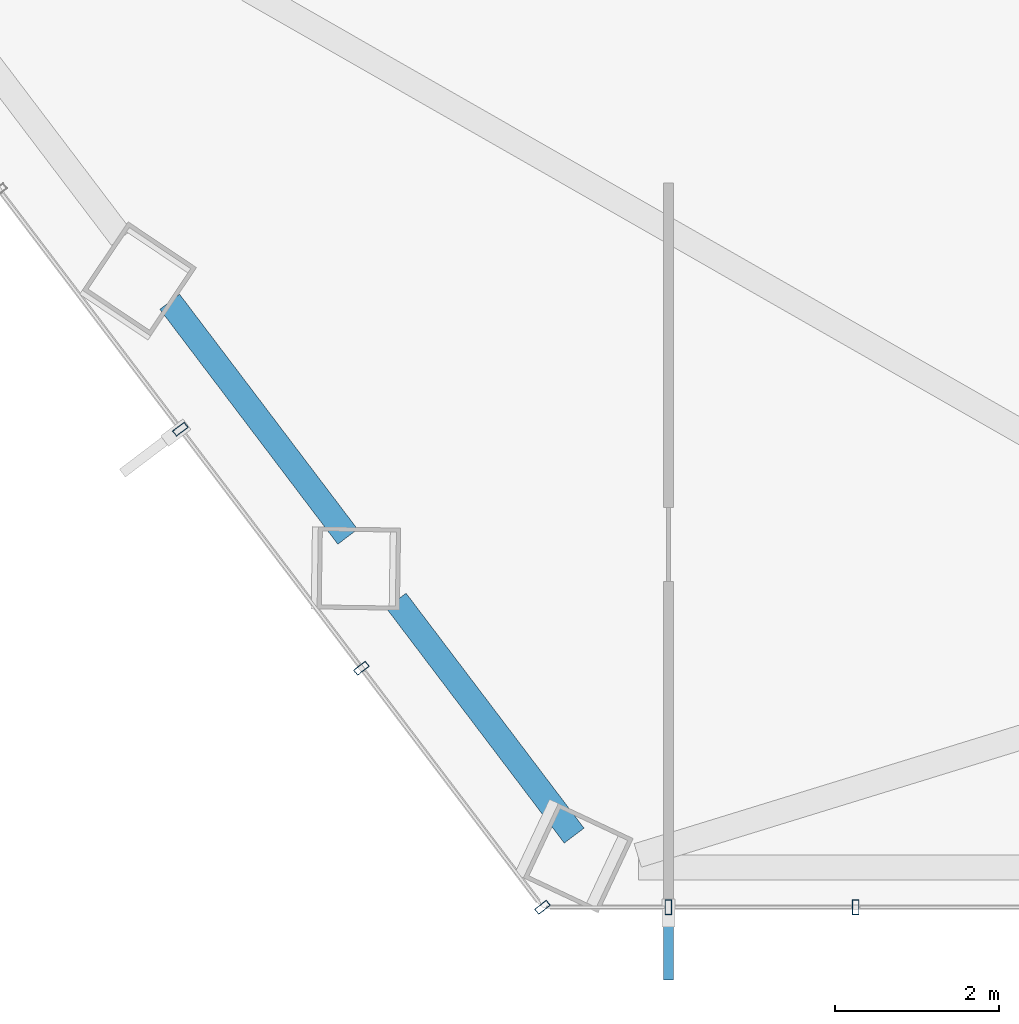
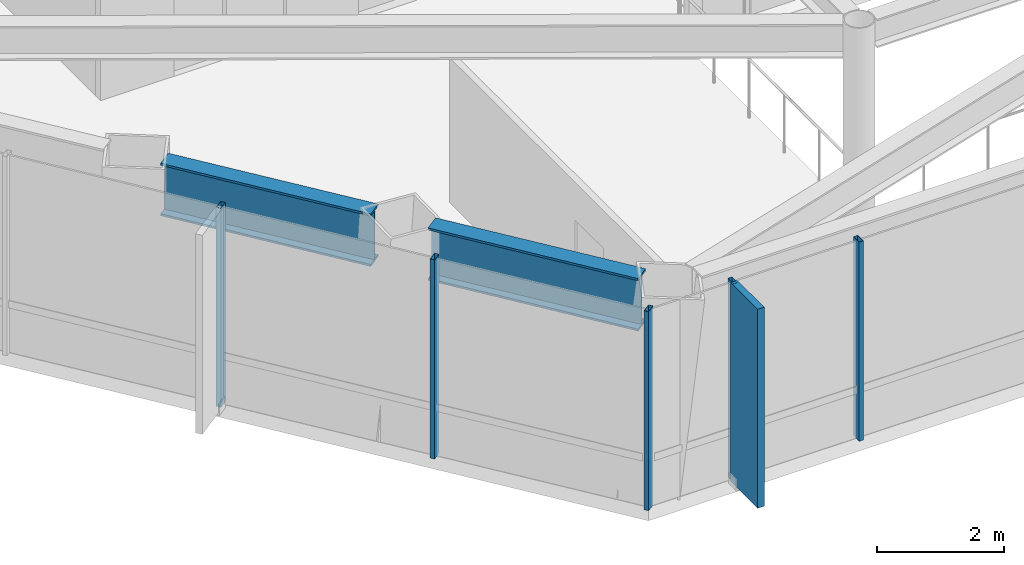
# One storey, part 2 of 26: 6 members, 2 beams, 2 elements without a shape of their own.
"""IFC4 building model written with IfcOpenShell, lengths in metres."""

from ifc_helpers import new_model, si_unit, direction, frame, origin, origin_2d, place, context, subcontext, project, spatial, rectangle, hollow_rectangle, i_section, extrude, material, layer, layer_set, material_profile, profile_set, type_object, element, aggregate, save


model = new_model("IFC4")

# Units and contexts
model_context = context("Model", 3, precision=1e-05, world=origin(), true_north=direction((0.0, 1.0)))
body_context = subcontext(model_context, "Body", "Model", "MODEL_VIEW")
ifc_project = project(units=[si_unit("LENGTHUNIT", "METRE"), si_unit("AREAUNIT", "SQUARE_METRE"), si_unit("VOLUMEUNIT", "CUBIC_METRE"), si_unit("PLANEANGLEUNIT", "RADIAN"), si_unit("MASSUNIT", "GRAM", prefix="KILO")], contexts=[model_context])

# Site, building, storey
site_placement = place(None, origin())
site = spatial("IfcSite", under=ifc_project, at=site_placement, CompositionType="ELEMENT")
building_placement = place(site_placement, origin())
building = spatial("IfcBuilding", under=site, at=building_placement, Name="Zarrinselat Tower", CompositionType="ELEMENT")
storey_placement = place(building_placement, frame((0.0, 0.0, 35.699951171875)))
storey = spatial("IfcBuildingStorey", under=building, at=storey_placement, Name="L08", CompositionType="ELEMENT", Elevation=35.699951171875)

# Beams
ifc_material_1 = material(Name="Steel S460M", Category="steel")
ifc_material_profile_1 = material_profile(ifc_material_1, i_section(OverallWidth=0.302001953125, OverallDepth=1.008056640625, WebThickness=0.02099609375, FlangeThickness=0.0400390625, at=origin_2d()), Name="HEM 1000")
ifc_profile_set_1 = profile_set([ifc_material_profile_1], Name="Steel S460M")
beam_type = type_object("IfcBeamType", Name="BM-HEM1000", PredefinedType="BEAM", material=ifc_profile_set_1)
for number, where, z_axis, x_axis, name in (
    (1, (22.4326171875, 26.557861328125, 3.316162109375), (0.603848514001, -0.797099098067, 0.0), (0.797099098067, 0.603848514001, 0.0), "L08 Perimeter Spandrel Girder SP08"),
    (2, (25.187744140625, 22.9208984375, 3.316162109375), (0.603891760732, -0.797066334329, 0.0), (0.797066334329, 0.603891760732, 0.0), "L08 Perimeter Spandrel Girder SP09"),
):
    element("IfcBeam", number, at=place(storey_placement, frame(where, z_axis=z_axis, x_axis=x_axis)), inside=storey, type_object=beam_type, Name=name, PredefinedType="BEAM", context=body_context, shape_type="SweptSolid", body=[
        extrude(i_section(OverallWidth=0.302001953125, OverallDepth=1.008056640625, WebThickness=0.02099609375, FlangeThickness=0.0400390625, at=origin_2d()), origin(), (0.0, 0.0, 1.0), 3.586669921875),
    ])

# Curtain wall, members
ifc_material_2 = material(Name="Extruded Aluminium Alloy EN AW-6063 T6", Category="aluminium")
ifc_layer = layer(ifc_material_2, 0.18505859375)
ifc_layer_set = layer_set([ifc_layer], Name="Extruded Aluminium Alloy EN AW-6063 T6")
curtain_wall_type = type_object("IfcCurtainWallType", Name="CWS-OFF", PredefinedType="NOTDEFINED", material=ifc_layer_set)
curtain_wall_1_placement = place(storey_placement, origin())
curtain_wall_1 = element("IfcCurtainWall", 3, at=curtain_wall_1_placement, inside=storey, type_object=curtain_wall_type, Name="L08 Unitised Curtain Wall CW-L08-E03", PredefinedType="NOTDEFINED")
ifc_material_3 = material(Name="Extruded Aluminium Alloy EN AW-6063 T6", Category="aluminium")
ifc_material_profile_2 = material_profile(ifc_material_3, hollow_rectangle(XDim=0.080078125, YDim=0.179931640625, WallThickness=0.0048828125, at=origin_2d()), Name="RHS 180x80x5")
ifc_profile_set_2 = profile_set([ifc_material_profile_2], Name="Extruded Aluminium Alloy EN AW-6063 T6")
member_type_1 = type_object("IfcMemberType", Name="MEM-CW-MUL", PredefinedType="MULLION", material=ifc_profile_set_2)
member_1_placement = place(storey_placement, frame((22.562255859375, 25.0068359375, 0.0), z_axis=(0.0, 0.0, 1.0), x_axis=(0.603858215687, -0.797091748388, 0.0)))
member_1 = element("IfcMember", 4, at=member_1_placement, type_object=member_type_1, Name="CW-L08-E03 Mullion 3", PredefinedType="MULLION", context=body_context, shape_type="SweptSolid", body=[
    extrude(hollow_rectangle(XDim=0.080078125, YDim=0.179931640625, WallThickness=0.0048828125, at=origin_2d()), origin(), (0.0, 0.0, 1.0), 3.820068359375),
])
member_2_placement = place(storey_placement, frame((24.765380859375, 22.0986328125, 0.0), z_axis=(0.0, 0.0, 1.0), x_axis=(0.603858215687, -0.797091748388, 0.0)))
member_2 = element("IfcMember", 5, at=member_2_placement, type_object=member_type_1, Name="CW-L08-E03 Mullion 4", PredefinedType="MULLION", context=body_context, shape_type="SweptSolid", body=[
    extrude(hollow_rectangle(XDim=0.080078125, YDim=0.179931640625, WallThickness=0.0048828125, at=origin_2d()), origin(), (0.0, 0.0, 1.0), 3.820068359375),
])
member_3_placement = place(storey_placement, frame((26.96875, 19.1904296875, 0.0), z_axis=(0.0, 0.0, 1.0), x_axis=(0.603858215687, -0.797091748388, 0.0)))
member_3 = element("IfcMember", 6, at=member_3_placement, type_object=member_type_1, Name="CW-L08-E03 Mullion 5", PredefinedType="MULLION", context=body_context, shape_type="SweptSolid", body=[
    extrude(hollow_rectangle(XDim=0.080078125, YDim=0.179931640625, WallThickness=0.0048828125, at=origin_2d()), origin(), (0.0, 0.0, 1.0), 3.820068359375),
])
aggregate(curtain_wall_1, [member_1, member_2, member_3])

curtain_wall_2_placement = place(storey_placement, origin())
curtain_wall_2 = element("IfcCurtainWall", 7, at=curtain_wall_2_placement, inside=storey, type_object=curtain_wall_type, Name="L08 Unitised Curtain Wall CW-L08-E04", PredefinedType="NOTDEFINED")
member_4_placement = place(storey_placement, frame((28.5, 19.1904296875, 0.0), z_axis=(0.0, 0.0, 1.0), x_axis=(1.0, 0.0, 0.0)))
member_4 = element("IfcMember", 8, at=member_4_placement, type_object=member_type_1, Name="CW-L08-E04 Mullion 1", PredefinedType="MULLION", context=body_context, shape_type="SweptSolid", body=[
    extrude(hollow_rectangle(XDim=0.080078125, YDim=0.179931640625, WallThickness=0.0048828125, at=origin_2d()), origin(), (0.0, 0.0, 1.0), 3.820068359375),
])
member_5_placement = place(storey_placement, frame((30.779052734375, 19.1904296875, 0.0), z_axis=(0.0, 0.0, 1.0), x_axis=(1.0, 0.0, 0.0)))
member_5 = element("IfcMember", 9, at=member_5_placement, type_object=member_type_1, Name="CW-L08-E04 Mullion 2", PredefinedType="MULLION", context=body_context, shape_type="SweptSolid", body=[
    extrude(hollow_rectangle(XDim=0.080078125, YDim=0.179931640625, WallThickness=0.0048828125, at=origin_2d()), origin(), (0.0, 0.0, 1.0), 3.820068359375),
])
ifc_material_4 = material(Name="Honed Cream Travertine Stone", Category="masonry")
ifc_material_profile_3 = material_profile(ifc_material_4, rectangle(XDim=0.1201171875, YDim=0.85009765625, at=origin_2d()), Name="FIN 850x120")
ifc_profile_set_3 = profile_set([ifc_material_profile_3], Name="Honed Cream Travertine Stone")
member_type_2 = type_object("IfcMemberType", Name="MEM-STONE-FIN", PredefinedType="USERDEFINED", material=ifc_profile_set_3)
member_6_placement = place(storey_placement, frame((28.5, 18.73046875, 0.0), z_axis=(0.0, 0.0, 1.0), x_axis=(-1.0, 0.0, 0.0)))
member_6 = element("IfcMember", 10, at=member_6_placement, type_object=member_type_2, Name="L08 Stone Shading Fin CW-L08-E04-01", ObjectType="FIN", PredefinedType="USERDEFINED", context=body_context, shape_type="SweptSolid", body=[
    extrude(rectangle(XDim=0.1201171875, YDim=0.85009765625, at=origin_2d()), origin(), (0.0, 0.0, 1.0), 3.820068359375),
])
aggregate(curtain_wall_2, [member_4, member_6, member_5])

save(model, "model.ifc")
